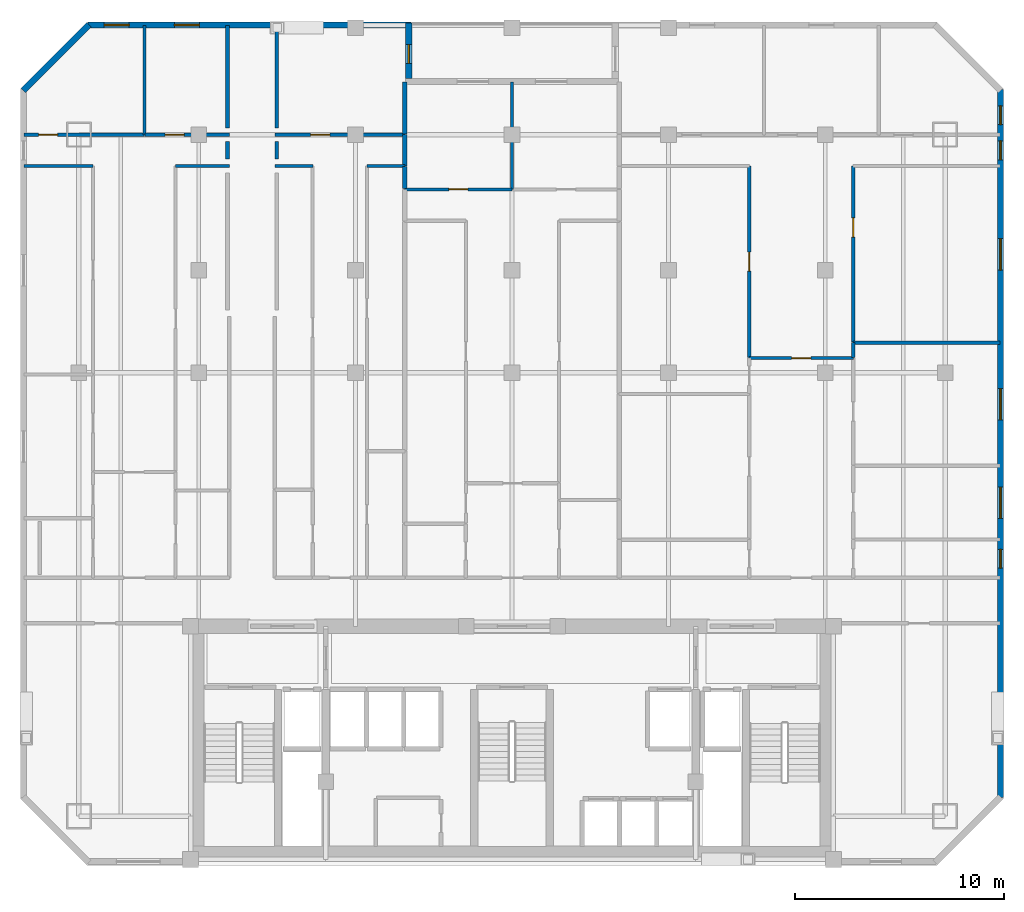
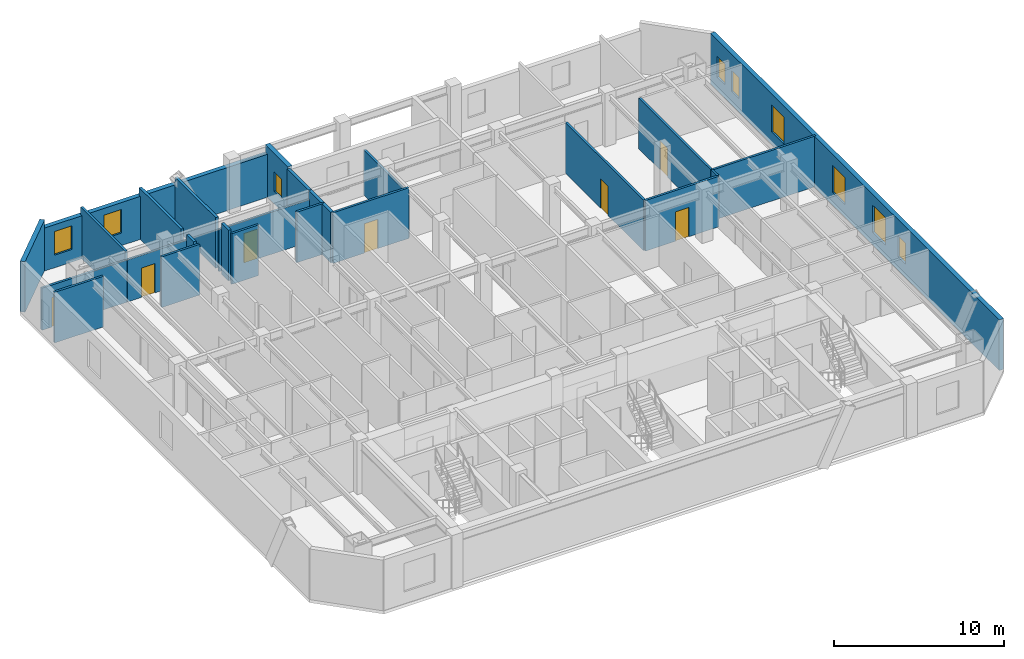
# One storey, part 6 of 8: 26 walls, 9 windows, 7 doors, 16 openings.
"""IFC4 building model written with IfcOpenShell, lengths in metres."""

from ifc_helpers import new_model, si_unit, direction, frame, frame_2d, origin, place, context, subcontext, project, spatial, rectangle, extrude, material, layer, layer_set, type_object, element, fill, save


model = new_model("IFC4")

# Units and contexts
model_context = context("Model", 3, precision=1e-05, world=origin(), true_north=direction((0.0, 1.0)))
body_context = subcontext(model_context, "Body", "Model", "MODEL_VIEW")
ifc_project = project(units=[si_unit("LENGTHUNIT", "METRE"), si_unit("AREAUNIT", "SQUARE_METRE"), si_unit("VOLUMEUNIT", "CUBIC_METRE"), si_unit("PLANEANGLEUNIT", "RADIAN"), si_unit("MASSUNIT", "GRAM", prefix="KILO")], contexts=[model_context])

# Site, building, storey
site_placement = place(None, origin())
site = spatial("IfcSite", under=ifc_project, at=site_placement, CompositionType="ELEMENT")
building_placement = place(site_placement, origin())
building = spatial("IfcBuilding", under=site, at=building_placement, Name="Ventersveld Concourse Tower", CompositionType="ELEMENT")
storey_placement = place(building_placement, frame((0.0, 0.0, 176.0)))
storey = spatial("IfcBuildingStorey", under=building, at=storey_placement, Name="L43", CompositionType="ELEMENT", Elevation=176.0)

# Walls
ifc_material_1 = material(Name="Fire-rated autoclaved aerated masonry blockwork", Category="masonry")
ifc_layer_1 = layer(ifc_material_1, 0.179931640625)
ifc_layer_set_1 = layer_set([ifc_layer_1], Name="Fire-rated autoclaved aerated masonry blockwork")
wall_type_1 = type_object("IfcWallType", Name="WL-CORR-180", PredefinedType="PARTITIONING", material=ifc_layer_set_1)
wall_1_placement = place(storey_placement, frame((15.1201171875, 34.675048828125, 0.0), z_axis=(0.0, 0.0, 1.0), x_axis=(0.0, -1.0, 0.0)))
element("IfcWall", 1, at=wall_1_placement, inside=storey, type_object=wall_type_1, Name="L43 Room Enclosure Wall SP-L43-43NW-LIV", PredefinedType="PARTITIONING", context=body_context, shape_type="SweptSolid", body=[
    extrude(rectangle(XDim=0.85009765625, YDim=0.179931640625, at=frame_2d((0.425048828125, 0.0))), origin(), (0.0, 0.0, 1.0), 3.6298828125),
])
wall_2_placement = place(storey_placement, frame((15.1201171875, 40.2275390625, 0.0), z_axis=(0.0, 0.0, 1.0), x_axis=(0.0, -1.0, 0.0)))
element("IfcWall", 2, at=wall_2_placement, inside=storey, type_object=wall_type_1, Name="L43 Room Enclosure Wall SP-L43-43NW-BR2", PredefinedType="PARTITIONING", context=body_context, shape_type="SweptSolid", body=[
    extrude(rectangle(XDim=4.902587890625, YDim=0.179931640625, at=frame_2d((2.451171875, 0.0))), origin(), (0.0, 0.0, 1.0), 3.6298828125),
])
wall_3_placement = place(storey_placement, frame((17.47998046875, 33.824951171875, 0.0), z_axis=(0.0, 0.0, 1.0), x_axis=(0.0, 1.0, 0.0)))
element("IfcWall", 3, at=wall_3_placement, inside=storey, type_object=wall_type_1, Name="L43 Room Enclosure Wall SP-L43-43CW-LIV", PredefinedType="PARTITIONING", context=body_context, shape_type="SweptSolid", body=[
    extrude(rectangle(XDim=0.85009765625, YDim=0.179931640625, at=frame_2d((0.425048828125, 0.0))), origin(), (0.0, 0.0, 1.0), 3.6298828125),
])
wall_4_placement = place(storey_placement, frame((17.47998046875, 35.324951171875, 0.0), z_axis=(0.0, 0.0, 1.0), x_axis=(0.0, 1.0, 0.0)))
element("IfcWall", 4, at=wall_4_placement, inside=storey, type_object=wall_type_1, Name="L43 Room Enclosure Wall SP-L43-43CW-BR1", PredefinedType="PARTITIONING", context=body_context, shape_type="SweptSolid", body=[
    extrude(rectangle(XDim=4.77880859375, YDim=0.179931640625, at=frame_2d((2.389404296875, 0.0))), origin(), (0.0, 0.0, 1.0), 3.6298828125),
])
ifc_layer_2 = layer(ifc_material_1, 0.199951171875)
ifc_layer_set_2 = layer_set([ifc_layer_2], Name="Fire-rated autoclaved aerated masonry blockwork")
wall_type_2 = type_object("IfcWallType", Name="WL-DEMISE-200", PredefinedType="PARTITIONING", material=ifc_layer_set_2)
wall_5_placement = place(storey_placement, frame((23.610107421875, 33.4951171875, 0.0), z_axis=(0.0, 0.0, 1.0), x_axis=(0.0, 1.0, 0.0)))
element("IfcWall", 5, at=wall_5_placement, inside=storey, type_object=wall_type_2, Name="L43 Interior Partition SP-L43-43CW-LIV-SP-L43-43CM-BR1", PredefinedType="PARTITIONING", context=body_context, shape_type="SweptSolid", body=[
    extrude(rectangle(XDim=1.509765625, YDim=0.199951171875, at=frame_2d((0.7548828125, 0.0))), origin(), (0.0, 0.0, 1.0), 3.6298828125),
])
wall_6_placement = place(storey_placement, frame((23.610107421875, 32.4150390625, 0.0), z_axis=(0.0, 0.0, 1.0), x_axis=(0.0, 1.0, 0.0)))
element("IfcWall", 6, at=wall_6_placement, inside=storey, type_object=wall_type_2, Name="L43 Interior Partition SP-L43-43CW-MEDR1-SP-L43-43CM-BR1", PredefinedType="PARTITIONING", context=body_context, shape_type="SweptSolid", body=[
    extrude(rectangle(XDim=1.050048828125, YDim=0.199951171875, at=frame_2d((0.52490234375, 0.0))), origin(), (0.0, 0.0, 1.0), 3.6298828125),
])
wall_7_placement = place(storey_placement, frame((23.610107421875, 35.034912109375, 0.0), z_axis=(0.0, 0.0, 1.0), x_axis=(0.0, 1.0, 0.0)))
element("IfcWall", 7, at=wall_7_placement, inside=storey, type_object=wall_type_2, Name="L43 Interior Partition SP-L43-43CW-BR1-SP-L43-43CM-BR1", PredefinedType="PARTITIONING", context=body_context, shape_type="SweptSolid", body=[
    extrude(rectangle(XDim=2.498291015625, YDim=0.199951171875, at=frame_2d((1.2490234375, 0.0))), origin(), (0.0, 0.0, 1.0), 3.6298828125),
])
ifc_material_2 = material(Name="Autoclaved aerated masonry blockwork", Category="masonry")
ifc_layer_3 = layer(ifc_material_2, 0.14990234375)
ifc_layer_set_3 = layer_set([ifc_layer_3], Name="Autoclaved aerated masonry blockwork")
wall_type_3 = type_object("IfcWallType", Name="WL-INT-150", PredefinedType="PARTITIONING", material=ifc_layer_set_3)
wall_8_placement = place(storey_placement, frame((5.37255859375, 33.5, 0.0), z_axis=(0.0, 0.0, 1.0), x_axis=(1.0, 0.0, 0.0)))
element("IfcWall", 8, at=wall_8_placement, inside=storey, type_object=wall_type_3, Name="L43 Interior Partition SP-L43-43NW-LIV-SP-L43-43NW-SEML2", PredefinedType="PARTITIONING", context=body_context, shape_type="SweptSolid", body=[
    extrude(rectangle(XDim=3.309814453125, YDim=0.14990234375, at=frame_2d((1.65478515625, 0.0))), origin(), (0.0, 0.0, 1.0), 3.6298828125),
])
wall_9_placement = place(storey_placement, frame((12.63232421875, 33.5, 0.0), z_axis=(0.0, 0.0, 1.0), x_axis=(1.0, 0.0, 0.0)))
element("IfcWall", 9, at=wall_9_placement, inside=storey, type_object=wall_type_3, Name="L43 Interior Partition SP-L43-43NW-LIV-SP-L43-43NW-MEDR1", PredefinedType="PARTITIONING", context=body_context, shape_type="SweptSolid", body=[
    extrude(rectangle(XDim=2.582763671875, YDim=0.14990234375, at=frame_2d((1.29150390625, 0.0))), origin(), (0.0, 0.0, 1.0), 3.6298828125),
])

# Wall, opening, door
wall_10_placement = place(storey_placement, frame((5.37255859375, 35.0, 0.0), z_axis=(0.0, 0.0, 1.0), x_axis=(1.0, 0.0, 0.0)))
wall_10 = element("IfcWall", 10, at=wall_10_placement, inside=storey, type_object=wall_type_3, Name="L43 Interior Partition SP-L43-43NW-LIV-SP-L43-43NW-BR1", PredefinedType="PARTITIONING", context=body_context, shape_type="SweptSolid", body=[
    extrude(rectangle(XDim=5.771240234375, YDim=0.14990234375, at=frame_2d((2.8857421875, 0.0))), origin(), (0.0, 0.0, 1.0), 3.0126953125),
])
opening_1_placement = place(wall_10_placement, frame((0.6943359375, 0.0, 0.0)))
opening_1 = element("IfcOpeningElement", 11, at=opening_1_placement, cuts=wall_10, Name="Opening ID1", PredefinedType="OPENING", context=body_context, shape_type="SweptSolid", body=[
    extrude(rectangle(XDim=0.919921875, YDim=2.10009765625, at=frame_2d((0.4599609375, 1.050048828125))), frame((0.0, 0.0849609375, 0.0), z_axis=(0.0, -1.0, 0.0), x_axis=(1.0, 0.0, 0.0)), (0.0, 0.0, 1.0), 0.169921875),
])
ifc_material_3 = material(Name="Solid-core hardwood veneer timber", Category="wood")
door_type = type_object("IfcDoorType", Name="DR-ROOM-092", OperationType="NOTDEFINED", PredefinedType="DOOR", material=ifc_material_3)
door_1_placement = place(opening_1_placement, origin())
door_1 = element("IfcDoor", 12, at=door_1_placement, inside=storey, type_object=door_type, Name="L43 Interior Door SP-L43-43NW-LIV to SP-L43-43NW-BR1 (D-L43-2114)", OperationType="SINGLE_SWING_RIGHT", OverallHeight=2.10009765625, OverallWidth=0.919921875, PredefinedType="DOOR", context=body_context, shape_type="SweptSolid", body=[
    extrude(rectangle(XDim=0.919921875, YDim=2.10009765625, at=frame_2d((0.4599609375, 1.050048828125))), frame((0.0, 0.02490234375, 0.0), z_axis=(0.0, -1.0, 0.0), x_axis=(1.0, 0.0, 0.0)), (0.0, 0.0, 1.0), 0.050048828125),
])
fill(opening_1, door_1)

wall_11_placement = place(storey_placement, frame((11.173828125, 35.0, 0.0), z_axis=(0.0, 0.0, 1.0), x_axis=(1.0, 0.0, 0.0)))
wall_11 = element("IfcWall", 13, at=wall_11_placement, inside=storey, type_object=wall_type_3, Name="L43 Interior Partition SP-L43-43NW-LIV-SP-L43-43NW-BR2", PredefinedType="PARTITIONING", context=body_context, shape_type="SweptSolid", body=[
    extrude(rectangle(XDim=4.041259765625, YDim=0.14990234375, at=frame_2d((2.0205078125, 0.0))), origin(), (0.0, 0.0, 1.0), 3.0126953125),
])
opening_2_placement = place(wall_11_placement, frame((0.954345703125, 0.0, 0.0)))
opening_2 = element("IfcOpeningElement", 14, at=opening_2_placement, cuts=wall_11, Name="Opening ID1", PredefinedType="OPENING", context=body_context, shape_type="SweptSolid", body=[
    extrude(rectangle(XDim=0.919921875, YDim=2.10009765625, at=frame_2d((0.4599609375, 1.050048828125))), frame((0.0, 0.0849609375, 0.0), z_axis=(0.0, -1.0, 0.0), x_axis=(1.0, 0.0, 0.0)), (0.0, 0.0, 1.0), 0.169921875),
])
door_2_placement = place(opening_2_placement, origin())
door_2 = element("IfcDoor", 15, at=door_2_placement, inside=storey, type_object=door_type, Name="L43 Interior Door SP-L43-43NW-LIV to SP-L43-43NW-BR2 (D-L43-2115)", OperationType="SINGLE_SWING_LEFT", OverallHeight=2.10009765625, OverallWidth=0.919921875, PredefinedType="DOOR", context=body_context, shape_type="SweptSolid", body=[
    extrude(rectangle(XDim=0.919921875, YDim=2.10009765625, at=frame_2d((0.4599609375, 1.050048828125))), frame((0.0, 0.02490234375, 0.0), z_axis=(0.0, -1.0, 0.0), x_axis=(1.0, 0.0, 0.0)), (0.0, 0.0, 1.0), 0.050048828125),
])
fill(opening_2, door_2)

# Walls
wall_12_placement = place(storey_placement, frame((11.138916015625, 34.9951171875, 0.0), z_axis=(0.0, 0.0, 1.0), x_axis=(0.0, 1.0, 0.0)))
element("IfcWall", 16, at=wall_12_placement, inside=storey, type_object=wall_type_3, Name="L43 Interior Partition SP-L43-43NW-BR1-SP-L43-43NW-BR2", PredefinedType="PARTITIONING", context=body_context, shape_type="SweptSolid", body=[
    extrude(rectangle(XDim=5.232421875, YDim=0.14990234375, at=frame_2d((2.6162109375, 0.0))), origin(), (0.0, 0.0, 1.0), 3.6298828125),
])
for number, where, z_axis, x_axis, name in (
    (17, (17.385009765625, 33.5, 0.0), (0.0, 0.0, 1.0), (1.0, 0.0, 0.0), "L43 Interior Partition SP-L43-43CW-LIV-SP-L43-43CW-MEDL0"),
    (18, (21.794189453125, 33.5, 0.0), (0.0, 0.0, 1.0), (1.0, 0.0, 0.0), "L43 Interior Partition SP-L43-43CW-LIV-SP-L43-43CW-MEDR1"),
):
    element("IfcWall", number, at=place(storey_placement, frame(where, z_axis=z_axis, x_axis=x_axis)), inside=storey, type_object=wall_type_3, Name=name, PredefinedType="PARTITIONING", context=body_context, shape_type="SweptSolid", body=[
        extrude(rectangle(XDim=1.82080078125, YDim=0.14990234375, at=frame_2d((0.910400390625, 0.0))), origin(), (0.0, 0.0, 1.0), 3.6298828125),
    ])

# Wall, opening, door
wall_13_placement = place(storey_placement, frame((17.385009765625, 35.0, 0.0), z_axis=(0.0, 0.0, 1.0), x_axis=(1.0, 0.0, 0.0)))
wall_13 = element("IfcWall", 19, at=wall_13_placement, inside=storey, type_object=wall_type_3, Name="L43 Interior Partition SP-L43-43CW-LIV-SP-L43-43CW-BR1", PredefinedType="PARTITIONING", context=body_context, shape_type="SweptSolid", body=[
    extrude(rectangle(XDim=6.22998046875, YDim=0.14990234375, at=frame_2d((3.114990234375, 0.0))), origin(), (0.0, 0.0, 1.0), 3.0126953125),
])
opening_3_placement = place(wall_13_placement, frame((1.720458984375, 0.0, 0.0)))
opening_3 = element("IfcOpeningElement", 20, at=opening_3_placement, cuts=wall_13, Name="Opening ID1", PredefinedType="OPENING", context=body_context, shape_type="SweptSolid", body=[
    extrude(rectangle(XDim=0.919921875, YDim=2.10009765625, at=frame_2d((0.4599609375, 1.050048828125))), frame((0.0, 0.0849609375, 0.0), z_axis=(0.0, -1.0, 0.0), x_axis=(1.0, 0.0, 0.0)), (0.0, 0.0, 1.0), 0.169921875),
])
door_3_placement = place(opening_3_placement, origin())
door_3 = element("IfcDoor", 21, at=door_3_placement, inside=storey, type_object=door_type, Name="L43 Interior Door SP-L43-43CW-LIV to SP-L43-43CW-BR1 (D-L43-2120)", OperationType="SINGLE_SWING_RIGHT", OverallHeight=2.10009765625, OverallWidth=0.919921875, PredefinedType="DOOR", context=body_context, shape_type="SweptSolid", body=[
    extrude(rectangle(XDim=0.919921875, YDim=2.10009765625, at=frame_2d((0.4599609375, 1.050048828125))), frame((0.0, 0.02490234375, 0.0), z_axis=(0.0, -1.0, 0.0), x_axis=(1.0, 0.0, 0.0)), (0.0, 0.0, 1.0), 0.050048828125),
])
fill(opening_3, door_3)

wall_14_placement = place(storey_placement, frame((40.112548828125, 24.29833984375, 0.0), z_axis=(0.0, 0.0, 1.0), x_axis=(1.0, 0.0, 0.0)))
wall_14 = element("IfcWall", 22, at=wall_14_placement, inside=storey, type_object=wall_type_3, Name="L43 Interior Partition SP-L43-43CE-FOY-SP-L43-43CE-LIV", PredefinedType="PARTITIONING", context=body_context, shape_type="SweptSolid", body=[
    extrude(rectangle(XDim=4.989990234375, YDim=0.14990234375, at=frame_2d((2.4951171875, 0.0))), origin(), (0.0, 0.0, 1.0), 3.6298828125),
])
opening_4_placement = place(wall_14_placement, frame((2.034912109375, 0.0, 0.0)))
opening_4 = element("IfcOpeningElement", 23, at=opening_4_placement, cuts=wall_14, Name="Opening ID1", PredefinedType="OPENING", context=body_context, shape_type="SweptSolid", body=[
    extrude(rectangle(XDim=0.919921875, YDim=2.10009765625, at=frame_2d((0.4599609375, 1.050048828125))), frame((0.0, 0.0849609375, 0.0), z_axis=(0.0, -1.0, 0.0), x_axis=(1.0, 0.0, 0.0)), (0.0, 0.0, 1.0), 0.169921875),
])
door_4_placement = place(opening_4_placement, origin())
door_4 = element("IfcDoor", 24, at=door_4_placement, inside=storey, type_object=door_type, Name="L43 Interior Door SP-L43-43CE-FOY to SP-L43-43CE-LIV (D-L43-2121)", OperationType="SINGLE_SWING_LEFT", OverallHeight=2.10009765625, OverallWidth=0.919921875, PredefinedType="DOOR", context=body_context, shape_type="SweptSolid", body=[
    extrude(rectangle(XDim=0.919921875, YDim=2.10009765625, at=frame_2d((0.4599609375, 1.050048828125))), frame((0.0, 0.02490234375, 0.0), z_axis=(0.0, -1.0, 0.0), x_axis=(1.0, 0.0, 0.0)), (0.0, 0.0, 1.0), 0.050048828125),
])
fill(opening_4, door_4)

wall_15_placement = place(storey_placement, frame((40.11767578125, 24.333251953125, 0.0), z_axis=(0.0, 0.0, 1.0), x_axis=(0.0, 1.0, 0.0)))
wall_15 = element("IfcWall", 25, at=wall_15_placement, inside=storey, type_object=wall_type_3, Name="L43 Interior Partition SP-L43-43CE-LIV-SP-L43-43CE-DENL2", PredefinedType="PARTITIONING", context=body_context, shape_type="SweptSolid", body=[
    extrude(rectangle(XDim=9.171630859375, YDim=0.14990234375, at=frame_2d((4.5859375, 0.0))), origin(), (0.0, 0.0, 1.0), 3.6298828125),
])
opening_5_placement = place(wall_15_placement, frame((4.1259765625, 0.0, 0.0)))
opening_5 = element("IfcOpeningElement", 26, at=opening_5_placement, cuts=wall_15, Name="Opening ID1", PredefinedType="OPENING", context=body_context, shape_type="SweptSolid", body=[
    extrude(rectangle(XDim=0.919921875, YDim=2.10009765625, at=frame_2d((0.4599609375, 1.050048828125))), frame((0.0, 0.0849609375, 0.0), z_axis=(0.0, -1.0, 0.0), x_axis=(1.0, 0.0, 0.0)), (0.0, 0.0, 1.0), 0.169921875),
])
door_5_placement = place(opening_5_placement, origin())
door_5 = element("IfcDoor", 27, at=door_5_placement, inside=storey, type_object=door_type, Name="L43 Interior Door SP-L43-43CE-LIV to SP-L43-43CE-DENL2 (D-L43-2128)", OperationType="SINGLE_SWING_RIGHT", OverallHeight=2.10009765625, OverallWidth=0.919921875, PredefinedType="DOOR", context=body_context, shape_type="SweptSolid", body=[
    extrude(rectangle(XDim=0.919921875, YDim=2.10009765625, at=frame_2d((0.4599609375, 1.050048828125))), frame((0.0, 0.02490234375, 0.0), z_axis=(0.0, -1.0, 0.0), x_axis=(1.0, 0.0, 0.0)), (0.0, 0.0, 1.0), 0.050048828125),
])
fill(opening_5, door_5)

# Wall
wall_16_placement = place(storey_placement, frame((45.09765625, 24.333251953125, 0.0), z_axis=(0.0, 0.0, 1.0), x_axis=(0.0, 1.0, 0.0)))
element("IfcWall", 28, at=wall_16_placement, inside=storey, type_object=wall_type_3, Name="L43 Interior Partition SP-L43-43CE-LIV-SP-L43-43CE-DENS", PredefinedType="PARTITIONING", context=body_context, shape_type="SweptSolid", body=[
    extrude(rectangle(XDim=0.703857421875, YDim=0.14990234375, at=frame_2d((0.35205078125, 0.0))), origin(), (0.0, 0.0, 1.0), 3.6298828125),
])

# Wall, opening, door
wall_17_placement = place(storey_placement, frame((45.09765625, 25.067138671875, 0.0), z_axis=(0.0, 0.0, 1.0), x_axis=(0.0, 1.0, 0.0)))
wall_17 = element("IfcWall", 29, at=wall_17_placement, inside=storey, type_object=wall_type_3, Name="L43 Interior Partition SP-L43-43CE-LIV-SP-L43-43CE-DENS2", PredefinedType="PARTITIONING", context=body_context, shape_type="SweptSolid", body=[
    extrude(rectangle(XDim=8.437744140625, YDim=0.14990234375, at=frame_2d((4.21875, 0.0))), origin(), (0.0, 0.0, 1.0), 3.6298828125),
])
opening_6_placement = place(wall_17_placement, frame((5.024658203125, 0.0, 0.0)))
opening_6 = element("IfcOpeningElement", 30, at=opening_6_placement, cuts=wall_17, Name="Opening ID1", PredefinedType="OPENING", context=body_context, shape_type="SweptSolid", body=[
    extrude(rectangle(XDim=0.919921875, YDim=2.10009765625, at=frame_2d((0.4599609375, 1.050048828125))), frame((0.0, 0.0849609375, 0.0), z_axis=(0.0, -1.0, 0.0), x_axis=(1.0, 0.0, 0.0)), (0.0, 0.0, 1.0), 0.169921875),
])
door_6_placement = place(opening_6_placement, origin())
door_6 = element("IfcDoor", 31, at=door_6_placement, inside=storey, type_object=door_type, Name="L43 Interior Door SP-L43-43CE-LIV to SP-L43-43CE-DENS2 (D-L43-2129)", OperationType="SINGLE_SWING_LEFT", OverallHeight=2.10009765625, OverallWidth=0.919921875, PredefinedType="DOOR", context=body_context, shape_type="SweptSolid", body=[
    extrude(rectangle(XDim=0.919921875, YDim=2.10009765625, at=frame_2d((0.4599609375, 1.050048828125))), frame((0.0, 0.02490234375, 0.0), z_axis=(0.0, -1.0, 0.0), x_axis=(1.0, 0.0, 0.0)), (0.0, 0.0, 1.0), 0.050048828125),
])
fill(opening_6, door_6)

# Wall
wall_18_placement = place(storey_placement, frame((45.092529296875, 25.0322265625, 0.0), z_axis=(0.0, 0.0, 1.0), x_axis=(1.0, 0.0, 0.0)))
element("IfcWall", 32, at=wall_18_placement, inside=storey, type_object=wall_type_3, Name="L43 Interior Partition SP-L43-43CE-DENS-SP-L43-43CE-DENS2", PredefinedType="PARTITIONING", context=body_context, shape_type="SweptSolid", body=[
    extrude(rectangle(XDim=7.034912109375, YDim=0.14990234375, at=frame_2d((3.517578125, 0.0))), origin(), (0.0, 0.0, 1.0), 3.6298828125),
])

# Wall, opening, door
wall_19_placement = place(storey_placement, frame((23.60498046875, 32.3798828125, 0.0), z_axis=(0.0, 0.0, 1.0), x_axis=(1.0, 0.0, 0.0)))
wall_19 = element("IfcWall", 33, at=wall_19_placement, inside=storey, type_object=wall_type_3, Name="L43 Interior Partition SP-L43-43CM-LIV-SP-L43-43CM-BR1", PredefinedType="PARTITIONING", context=body_context, shape_type="SweptSolid", body=[
    extrude(rectangle(XDim=5.14990234375, YDim=0.14990234375, at=frame_2d((2.574951171875, 0.0))), origin(), (0.0, 0.0, 1.0), 3.6298828125),
])
opening_7_placement = place(wall_19_placement, frame((2.114990234375, 0.0, 0.0)))
opening_7 = element("IfcOpeningElement", 34, at=opening_7_placement, cuts=wall_19, Name="Opening ID1", PredefinedType="OPENING", context=body_context, shape_type="SweptSolid", body=[
    extrude(rectangle(XDim=0.919921875, YDim=2.10009765625, at=frame_2d((0.4599609375, 1.050048828125))), frame((0.0, 0.0849609375, 0.0), z_axis=(0.0, -1.0, 0.0), x_axis=(1.0, 0.0, 0.0)), (0.0, 0.0, 1.0), 0.169921875),
])
door_7_placement = place(opening_7_placement, origin())
door_7 = element("IfcDoor", 35, at=door_7_placement, inside=storey, type_object=door_type, Name="L43 Interior Door SP-L43-43CM-LIV to SP-L43-43CM-BR1 (D-L43-2139)", OperationType="SINGLE_SWING_LEFT", OverallHeight=2.10009765625, OverallWidth=0.919921875, PredefinedType="DOOR", context=body_context, shape_type="SweptSolid", body=[
    extrude(rectangle(XDim=0.919921875, YDim=2.10009765625, at=frame_2d((0.4599609375, 1.050048828125))), frame((0.0, 0.02490234375, 0.0), z_axis=(0.0, -1.0, 0.0), x_axis=(1.0, 0.0, 0.0)), (0.0, 0.0, 1.0), 0.050048828125),
])
fill(opening_7, door_7)

# Wall
wall_20_placement = place(storey_placement, frame((28.75, 32.375, 0.0), z_axis=(0.0, 0.0, 1.0), x_axis=(0.0, 1.0, 0.0)))
element("IfcWall", 36, at=wall_20_placement, inside=storey, type_object=wall_type_3, Name="L43 Interior Partition SP-L43-43CM-BR1-SP-L43-43CM-BR2", PredefinedType="PARTITIONING", context=body_context, shape_type="SweptSolid", body=[
    extrude(rectangle(XDim=5.152587890625, YDim=0.14990234375, at=frame_2d((2.576171875, 0.0))), origin(), (0.0, 0.0, 1.0), 3.2236328125),
])

# Wall, openings, windows
ifc_material_4 = material(Name="Precast concrete C45/55", Category="concrete")
ifc_layer_4 = layer(ifc_material_4, 0.300048828125)
ifc_layer_set_4 = layer_set([ifc_layer_4], Name="Precast concrete C45/55")
wall_type_4 = type_object("IfcWallType", Name="WL-PREC-300", PredefinedType="SOLIDWALL", material=ifc_layer_set_4)
wall_21_placement = place(storey_placement, frame((52.14990234375, 3.239990234375, 0.0), z_axis=(0.0, 0.0, 1.0), x_axis=(0.0, 1.0, 0.0)))
wall_21 = element("IfcWall", 37, at=wall_21_placement, inside=storey, type_object=wall_type_4, Name="L43 Highveld Precast Facade Wall E03", PredefinedType="SOLIDWALL", context=body_context, shape_type="SweptSolid", body=[
    extrude(rectangle(XDim=33.919921875, YDim=0.300048828125, at=frame_2d((16.9599609375, 0.0))), origin(), (0.0, 0.0, 1.0), 3.6298828125),
])
opening_8_placement = place(wall_21_placement, frame((30.56005859375, 0.0, 0.949951171875)))
opening_8 = element("IfcOpeningElement", 38, at=opening_8_placement, cuts=wall_21, Name="Opening W4", PredefinedType="OPENING", context=body_context, shape_type="SweptSolid", body=[
    extrude(rectangle(XDim=0.89990234375, YDim=1.5, at=frame_2d((0.449951171875, 0.75))), frame((0.0, 0.16015625, 0.0), z_axis=(0.0, -1.0, 0.0), x_axis=(1.0, 0.0, 0.0)), (0.0, 0.0, 1.0), 0.320068359375),
])
opening_9_placement = place(wall_21_placement, frame((10.9951171875, 0.0, 0.949951171875)))
opening_9 = element("IfcOpeningElement", 39, at=opening_9_placement, cuts=wall_21, Name="Opening W4", PredefinedType="OPENING", context=body_context, shape_type="SweptSolid", body=[
    extrude(rectangle(XDim=0.89990234375, YDim=1.5, at=frame_2d((0.449951171875, 0.75))), frame((0.0, 0.16015625, 0.0), z_axis=(0.0, -1.0, 0.0), x_axis=(1.0, 0.0, 0.0)), (0.0, 0.0, 1.0), 0.320068359375),
])
opening_10_placement = place(wall_21_placement, frame((13.37939453125, 0.0, 0.89990234375)))
opening_10 = element("IfcOpeningElement", 40, at=opening_10_placement, cuts=wall_21, Name="Opening W1", PredefinedType="OPENING", context=body_context, shape_type="SweptSolid", body=[
    extrude(rectangle(XDim=1.5, YDim=1.949951171875, at=frame_2d((0.75, 0.97509765625))), frame((0.0, 0.16015625, 0.0), z_axis=(0.0, -1.0, 0.0), x_axis=(1.0, 0.0, 0.0)), (0.0, 0.0, 1.0), 0.320068359375),
])
opening_11_placement = place(wall_21_placement, frame((18.095458984375, 0.0, 0.89990234375)))
opening_11 = element("IfcOpeningElement", 41, at=opening_11_placement, cuts=wall_21, Name="Opening W1", PredefinedType="OPENING", context=body_context, shape_type="SweptSolid", body=[
    extrude(rectangle(XDim=1.5, YDim=1.949951171875, at=frame_2d((0.75, 0.97509765625))), frame((0.0, 0.16015625, 0.0), z_axis=(0.0, -1.0, 0.0), x_axis=(1.0, 0.0, 0.0)), (0.0, 0.0, 1.0), 0.320068359375),
])
opening_12_placement = place(wall_21_placement, frame((25.276123046875, 0.0, 0.89990234375)))
opening_12 = element("IfcOpeningElement", 42, at=opening_12_placement, cuts=wall_21, Name="Opening W1", PredefinedType="OPENING", context=body_context, shape_type="SweptSolid", body=[
    extrude(rectangle(XDim=1.5, YDim=1.949951171875, at=frame_2d((0.75, 0.97509765625))), frame((0.0, 0.16015625, 0.0), z_axis=(0.0, -1.0, 0.0), x_axis=(1.0, 0.0, 0.0)), (0.0, 0.0, 1.0), 0.320068359375),
])
opening_13_placement = place(wall_21_placement, frame((32.239990234375, 0.0, 0.949951171875)))
opening_13 = element("IfcOpeningElement", 43, at=opening_13_placement, cuts=wall_21, Name="Opening W4", PredefinedType="OPENING", context=body_context, shape_type="SweptSolid", body=[
    extrude(rectangle(XDim=0.89990234375, YDim=1.5, at=frame_2d((0.449951171875, 0.75))), frame((0.0, 0.16015625, 0.0), z_axis=(0.0, -1.0, 0.0), x_axis=(1.0, 0.0, 0.0)), (0.0, 0.0, 1.0), 0.320068359375),
])
ifc_material_5 = material(Name="Tempered acoustic Low-E IGU", Category="glass")
window_type_1 = type_object("IfcWindowType", Name="WIN-090x150", PartitioningType="SINGLE_PANEL", PredefinedType="WINDOW", material=ifc_material_5)
window_1_placement = place(opening_8_placement, origin())
window_1 = element("IfcWindow", 44, at=window_1_placement, inside=storey, type_object=window_type_1, Name="L43 Punched Low-E Window W-0590", OverallHeight=1.5, OverallWidth=0.89990234375, PartitioningType="SINGLE_PANEL", PredefinedType="WINDOW", context=body_context, shape_type="SweptSolid", body=[
    extrude(rectangle(XDim=0.89990234375, YDim=1.5, at=frame_2d((0.449951171875, 0.75))), frame((0.0, 0.030029296875, 0.0), z_axis=(0.0, -1.0, 0.0), x_axis=(1.0, 0.0, 0.0)), (0.0, 0.0, 1.0), 0.06005859375),
])
fill(opening_8, window_1)
window_2_placement = place(opening_9_placement, origin())
window_2 = element("IfcWindow", 45, at=window_2_placement, inside=storey, type_object=window_type_1, Name="L43 Punched Low-E Window W-0591", OverallHeight=1.5, OverallWidth=0.89990234375, PartitioningType="SINGLE_PANEL", PredefinedType="WINDOW", context=body_context, shape_type="SweptSolid", body=[
    extrude(rectangle(XDim=0.89990234375, YDim=1.5, at=frame_2d((0.449951171875, 0.75))), frame((0.0, 0.030029296875, 0.0), z_axis=(0.0, -1.0, 0.0), x_axis=(1.0, 0.0, 0.0)), (0.0, 0.0, 1.0), 0.06005859375),
])
fill(opening_9, window_2)
window_3_placement = place(opening_13_placement, origin())
window_3 = element("IfcWindow", 46, at=window_3_placement, inside=storey, type_object=window_type_1, Name="L43 Punched Low-E Window W-0597", OverallHeight=1.5, OverallWidth=0.89990234375, PartitioningType="SINGLE_PANEL", PredefinedType="WINDOW", context=body_context, shape_type="SweptSolid", body=[
    extrude(rectangle(XDim=0.89990234375, YDim=1.5, at=frame_2d((0.449951171875, 0.75))), frame((0.0, 0.030029296875, 0.0), z_axis=(0.0, -1.0, 0.0), x_axis=(1.0, 0.0, 0.0)), (0.0, 0.0, 1.0), 0.06005859375),
])
fill(opening_13, window_3)
window_type_2 = type_object("IfcWindowType", Name="WIN-150x210", PartitioningType="SINGLE_PANEL", PredefinedType="WINDOW", material=ifc_material_5)
window_4_placement = place(opening_10_placement, origin())
window_4 = element("IfcWindow", 47, at=window_4_placement, inside=storey, type_object=window_type_2, Name="L43 Punched Low-E Window W-0592", OverallHeight=1.949951171875, OverallWidth=1.5, PartitioningType="SINGLE_PANEL", PredefinedType="WINDOW", context=body_context, shape_type="SweptSolid", body=[
    extrude(rectangle(XDim=1.5, YDim=1.949951171875, at=frame_2d((0.75, 0.97509765625))), frame((0.0, 0.030029296875, 0.0), z_axis=(0.0, -1.0, 0.0), x_axis=(1.0, 0.0, 0.0)), (0.0, 0.0, 1.0), 0.06005859375),
])
fill(opening_10, window_4)
window_5_placement = place(opening_11_placement, origin())
window_5 = element("IfcWindow", 48, at=window_5_placement, inside=storey, type_object=window_type_2, Name="L43 Punched Low-E Window W-0593", OverallHeight=1.949951171875, OverallWidth=1.5, PartitioningType="SINGLE_PANEL", PredefinedType="WINDOW", context=body_context, shape_type="SweptSolid", body=[
    extrude(rectangle(XDim=1.5, YDim=1.949951171875, at=frame_2d((0.75, 0.97509765625))), frame((0.0, 0.030029296875, 0.0), z_axis=(0.0, -1.0, 0.0), x_axis=(1.0, 0.0, 0.0)), (0.0, 0.0, 1.0), 0.06005859375),
])
fill(opening_11, window_5)
window_6_placement = place(opening_12_placement, origin())
window_6 = element("IfcWindow", 49, at=window_6_placement, inside=storey, type_object=window_type_2, Name="L43 Punched Low-E Window W-0594", OverallHeight=1.949951171875, OverallWidth=1.5, PartitioningType="SINGLE_PANEL", PredefinedType="WINDOW", context=body_context, shape_type="SweptSolid", body=[
    extrude(rectangle(XDim=1.5, YDim=1.949951171875, at=frame_2d((0.75, 0.97509765625))), frame((0.0, 0.030029296875, 0.0), z_axis=(0.0, -1.0, 0.0), x_axis=(1.0, 0.0, 0.0)), (0.0, 0.0, 1.0), 0.06005859375),
])
fill(opening_12, window_6)

# Wall, opening, window
wall_22_placement = place(storey_placement, frame((23.800048828125, 37.699951171875, 0.0), z_axis=(0.0, 0.0, 1.0), x_axis=(0.0, 1.0, 0.0)))
wall_22 = element("IfcWall", 50, at=wall_22_placement, inside=storey, type_object=wall_type_4, Name="L43 Highveld Precast Facade Wall E08", PredefinedType="SOLIDWALL", context=body_context, shape_type="SweptSolid", body=[
    extrude(rectangle(XDim=2.66015625, YDim=0.300048828125, at=frame_2d((1.330078125, 0.0))), origin(), (0.0, 0.0, 1.0), 3.6298828125),
])
opening_14_placement = place(wall_22_placement, frame((0.715087890625, 0.0, 0.89990234375)))
opening_14 = element("IfcOpeningElement", 51, at=opening_14_placement, cuts=wall_22, Name="Opening W8", PredefinedType="OPENING", context=body_context, shape_type="SweptSolid", body=[
    extrude(rectangle(XDim=0.89990234375, YDim=1.39990234375, at=frame_2d((0.449951171875, 0.699951171875))), frame((0.0, 0.16015625, 0.0), z_axis=(0.0, -1.0, 0.0), x_axis=(1.0, 0.0, 0.0)), (0.0, 0.0, 1.0), 0.320068359375),
])
window_type_3 = type_object("IfcWindowType", Name="WIN-090x140", PartitioningType="SINGLE_PANEL", PredefinedType="WINDOW", material=ifc_material_5)
window_7_placement = place(opening_14_placement, origin())
window_7 = element("IfcWindow", 52, at=window_7_placement, inside=storey, type_object=window_type_3, Name="L43 Punched Low-E Window W-0589", OverallHeight=1.39990234375, OverallWidth=0.89990234375, PartitioningType="SINGLE_PANEL", PredefinedType="WINDOW", context=body_context, shape_type="SweptSolid", body=[
    extrude(rectangle(XDim=0.89990234375, YDim=1.39990234375, at=frame_2d((0.449951171875, 0.699951171875))), frame((0.0, 0.030029296875, 0.0), z_axis=(0.0, -1.0, 0.0), x_axis=(1.0, 0.0, 0.0)), (0.0, 0.0, 1.0), 0.06005859375),
])
fill(opening_14, window_7)

# Wall, openings, windows
wall_23_placement = place(storey_placement, frame((23.909912109375, 40.25, 0.0), z_axis=(0.0, 0.0, 1.0), x_axis=(-1.0, 0.0, 0.0)))
wall_23 = element("IfcWall", 53, at=wall_23_placement, inside=storey, type_object=wall_type_4, Name="L43 Highveld Precast Facade Wall E09", PredefinedType="SOLIDWALL", context=body_context, shape_type="SweptSolid", body=[
    extrude(rectangle(XDim=15.469970703125, YDim=0.300048828125, at=frame_2d((7.73486328125, 0.0))), origin(), (0.0, 0.0, 1.0), 3.08544921875),
])
opening_15_placement = place(wall_23_placement, frame((13.5, 0.0, 0.89990234375)))
opening_15 = element("IfcOpeningElement", 54, at=opening_15_placement, cuts=wall_23, Name="Opening W3", PredefinedType="OPENING", context=body_context, shape_type="SweptSolid", body=[
    extrude(rectangle(XDim=1.199951171875, YDim=1.699951171875, at=frame_2d((0.60009765625, 0.85009765625))), frame((0.0, 0.16015625, 0.0), z_axis=(0.0, -1.0, 0.0), x_axis=(1.0, 0.0, 0.0)), (0.0, 0.0, 1.0), 0.320068359375),
])
opening_16_placement = place(wall_23_placement, frame((10.135498046875, 0.0, 0.89990234375)))
opening_16 = element("IfcOpeningElement", 55, at=opening_16_placement, cuts=wall_23, Name="Opening W3", PredefinedType="OPENING", context=body_context, shape_type="SweptSolid", body=[
    extrude(rectangle(XDim=1.199951171875, YDim=1.699951171875, at=frame_2d((0.60009765625, 0.85009765625))), frame((0.0, 0.16015625, 0.0), z_axis=(0.0, -1.0, 0.0), x_axis=(1.0, 0.0, 0.0)), (0.0, 0.0, 1.0), 0.320068359375),
])
window_type_4 = type_object("IfcWindowType", Name="WIN-120x180", PartitioningType="SINGLE_PANEL", PredefinedType="WINDOW", material=ifc_material_5)
window_8_placement = place(opening_15_placement, origin())
window_8 = element("IfcWindow", 56, at=window_8_placement, inside=storey, type_object=window_type_4, Name="L43 Punched Low-E Window W-0587", OverallHeight=1.699951171875, OverallWidth=1.199951171875, PartitioningType="SINGLE_PANEL", PredefinedType="WINDOW", context=body_context, shape_type="SweptSolid", body=[
    extrude(rectangle(XDim=1.199951171875, YDim=1.699951171875, at=frame_2d((0.60009765625, 0.85009765625))), frame((0.0, 0.030029296875, 0.0), z_axis=(0.0, -1.0, 0.0), x_axis=(1.0, 0.0, 0.0)), (0.0, 0.0, 1.0), 0.06005859375),
])
fill(opening_15, window_8)
window_9_placement = place(opening_16_placement, origin())
window_9 = element("IfcWindow", 57, at=window_9_placement, inside=storey, type_object=window_type_4, Name="L43 Punched Low-E Window W-0588", OverallHeight=1.699951171875, OverallWidth=1.199951171875, PartitioningType="SINGLE_PANEL", PredefinedType="WINDOW", context=body_context, shape_type="SweptSolid", body=[
    extrude(rectangle(XDim=1.199951171875, YDim=1.699951171875, at=frame_2d((0.60009765625, 0.85009765625))), frame((0.0, 0.030029296875, 0.0), z_axis=(0.0, -1.0, 0.0), x_axis=(1.0, 0.0, 0.0)), (0.0, 0.0, 1.0), 0.06005859375),
])
fill(opening_16, window_9)

# Wall
wall_24_placement = place(storey_placement, frame((8.477783203125, 40.265625, 0.0), z_axis=(0.0, 0.0, 1.0), x_axis=(-0.707106781187, -0.707106781187, 0.0)))
element("IfcWall", 58, at=wall_24_placement, inside=storey, type_object=wall_type_4, Name="L43 Highveld Precast Facade Wall E10", PredefinedType="SOLIDWALL", context=body_context, shape_type="SweptSolid", body=[
    extrude(rectangle(XDim=4.4453125, YDim=0.300048828125, at=frame_2d((2.22265625, 0.0))), origin(), (0.0, 0.0, 1.0), 3.6298828125),
])

save(model, "model.ifc")
